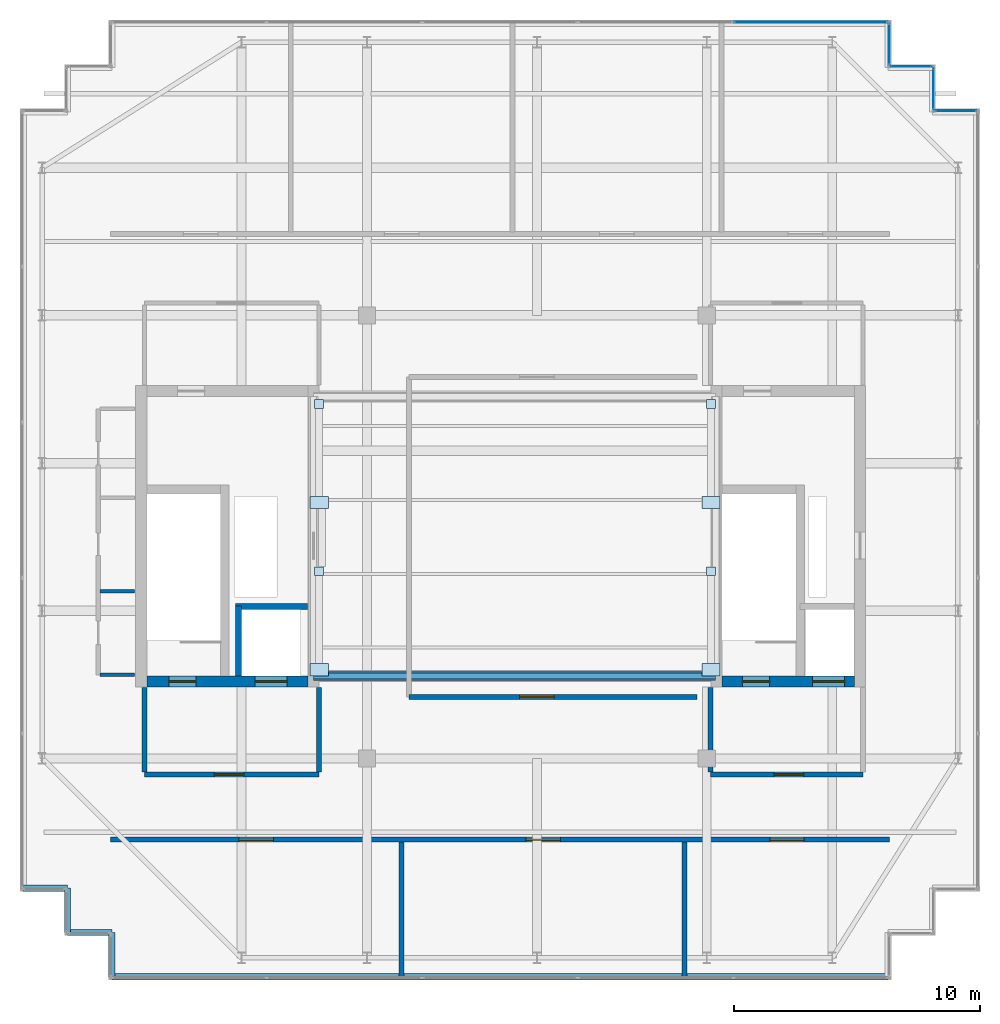
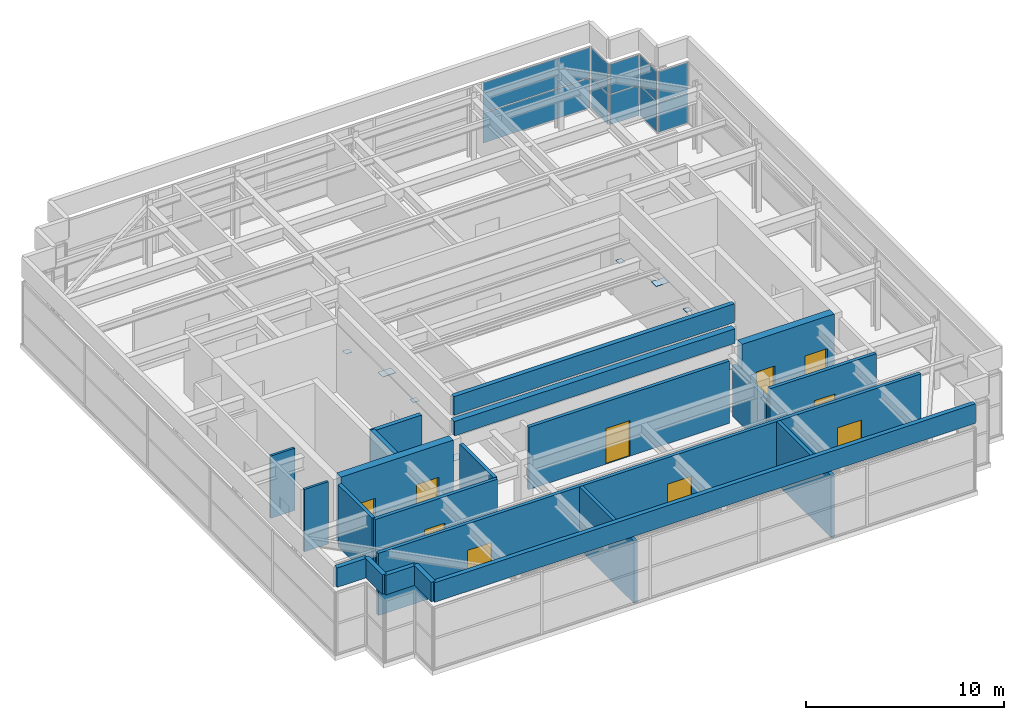
# One storey, part 30 of 33: 22 walls, 18 plates, 10 doors, 10 openings, 5 elements without a shape of their own.
"""IFC4 building model written with IfcOpenShell, lengths in metres."""

from ifc_helpers import new_model, si_unit, direction, frame, frame_2d, origin, origin_2d, place, context, subcontext, project, spatial, rectangle, extrude, source, transform, mapped, material, layer, layer_set, type_object, element, fill, aggregate, save


model = new_model("IFC4")

# Units and contexts
model_context = context("Model", 3, precision=1e-05, world=origin(), true_north=direction((0.0, 1.0)))
body_context = subcontext(model_context, "Body", "Model", "MODEL_VIEW")
ifc_project = project(units=[si_unit("LENGTHUNIT", "METRE"), si_unit("AREAUNIT", "SQUARE_METRE"), si_unit("VOLUMEUNIT", "CUBIC_METRE"), si_unit("PLANEANGLEUNIT", "RADIAN"), si_unit("MASSUNIT", "GRAM", prefix="KILO")], contexts=[model_context])

# Site, building, storey
site_placement = place(None, origin())
site = spatial("IfcSite", under=ifc_project, at=site_placement, CompositionType="ELEMENT")
building_placement = place(site_placement, origin())
building = spatial("IfcBuilding", under=site, at=building_placement, Name="Khoralis Quay Care Tower", CompositionType="ELEMENT")
storey_placement = place(building_placement, frame((0.0, 0.0, 314.699951171875)))
storey = spatial("IfcBuildingStorey", under=building, at=storey_placement, Name="L82", CompositionType="ELEMENT", Elevation=314.699951171875)

# Plates
ifc_material_1 = material(Name="Steel S355", Category="steel")
ifc_layer_1 = layer(ifc_material_1, 0.02001953125)
ifc_layer_set_1 = layer_set([ifc_layer_1], Name="Steel S355")
plate_type_1 = type_object("IfcPlateType", Name="PLT-CAP-350", PredefinedType="USERDEFINED", material=ifc_layer_set_1)
shared_shape_1 = source(origin(), body_context, "Body", "SweptSolid", [
    extrude(rectangle(XDim=0.35009765625, YDim=0.35009765625, at=origin_2d()), origin(), (0.0, 0.0, 1.0), 0.02001953125),
])
for number, where, z_axis, x_axis, name in (
    (1, (15.14794921875, 19.60009765625, 3.64013671875), (0.0, 0.0, 1.0), (1.0, 0.0, 0.0), "PLT-LNCP-L82-1"),
    (2, (15.14794921875, 26.39990234375, 2.510009765625), (0.0, 0.0, 1.0), (1.0, 0.0, 0.0), "PLT-LNCP-L82-2"),
    (3, (31.072021484375, 19.60009765625, 3.64013671875), (0.0, 0.0, 1.0), (1.0, 0.0, 0.0), "PLT-LNCP-L82-3"),
    (4, (31.072021484375, 26.39990234375, 2.510009765625), (0.0, 0.0, 1.0), (1.0, 0.0, 0.0), "PLT-LNCP-L82-4"),
):
    element("IfcPlate", number, at=place(storey_placement, frame(where, z_axis=z_axis, x_axis=x_axis)), inside=storey, type_object=plate_type_1, Name=name, ObjectType="BASE_PLATE", PredefinedType="USERDEFINED", context=body_context, shape_type="MappedRepresentation", body=[
        mapped(shared_shape_1, transform((0.0, 0.0, 0.0), scale=1.0)),
    ])
ifc_layer_2 = layer(ifc_material_1, 0.02490234375)
ifc_layer_set_2 = layer_set([ifc_layer_2], Name="Steel S355")
plate_type_2 = type_object("IfcPlateType", Name="PLT-NODE-LN1", PredefinedType="USERDEFINED", material=ifc_layer_set_2)
shared_shape_2 = source(origin(), body_context, "Body", "SweptSolid", [
    extrude(rectangle(XDim=0.75, YDim=0.5, at=origin_2d()), origin(), (0.0, 0.0, 1.0), 0.02490234375),
])
for number, where, z_axis, x_axis, name in (
    (5, (15.14794921875, 15.60009765625, 2.507568359375), (0.0, 0.0, 1.0), (1.0, 0.0, 0.0), "PLT-LN1-L82-1"),
    (6, (15.14794921875, 22.39990234375, 3.6376953125), (0.0, 0.0, 1.0), (1.0, 0.0, 0.0), "PLT-LN1-L82-2"),
    (7, (31.072021484375, 15.60009765625, 2.507568359375), (0.0, 0.0, 1.0), (1.0, 0.0, 0.0), "PLT-LN1-L82-3"),
    (8, (31.072021484375, 22.39990234375, 3.6376953125), (0.0, 0.0, 1.0), (1.0, 0.0, 0.0), "PLT-LN1-L82-4"),
):
    element("IfcPlate", number, at=place(storey_placement, frame(where, z_axis=z_axis, x_axis=x_axis)), inside=storey, type_object=plate_type_2, Name=name, ObjectType="GUSSET_PLATE", PredefinedType="USERDEFINED", context=body_context, shape_type="MappedRepresentation", body=[
        mapped(shared_shape_2, transform((0.0, 0.0, 0.0), scale=1.0)),
    ])

# Curtain wall, plates
ifc_material_2 = material(Name="Pale anodised aluminium", Category="aluminium")
ifc_layer_3 = layer(ifc_material_2, 0.199951171875)
ifc_layer_set_3 = layer_set([ifc_layer_3], Name="Pale anodised aluminium")
curtain_wall_type = type_object("IfcCurtainWallType", Name="CW-SYS-LANTERN", PredefinedType="NOTDEFINED", material=ifc_layer_set_3)
curtain_wall_1_placement = place(storey_placement, origin())
curtain_wall_1 = element("IfcCurtainWall", 9, at=curtain_wall_1_placement, inside=storey, type_object=curtain_wall_type, Name="L82 Unitised Curtain Wall CW-LN-L82-11", PredefinedType="NOTDEFINED")
ifc_material_3 = material(Name="Low-iron clear lantern glazing", Category="glass")
ifc_layer_4 = layer(ifc_material_3, 0.035888671875)
ifc_layer_set_4 = layer_set([ifc_layer_4], Name="Low-iron clear lantern glazing")
plate_type_3 = type_object("IfcPlateType", Name="PNL-LNT-36", PredefinedType="CURTAIN_PANEL", material=ifc_layer_set_4)
shared_shape_3 = source(origin(), body_context, "Body", "SweptSolid", [
    extrude(rectangle(XDim=6.23388671875, YDim=0.028076171875, at=origin_2d()), origin(), (0.0, 0.0, 1.0), 1.830078125),
])
plate_1_placement = place(storey_placement, frame((35.133056640625, 41.909912109375, 0.06005859375), z_axis=(0.0, 0.0, 1.0), x_axis=(-1.0, 0.0, 0.0)))
plate_1 = element("IfcPlate", 10, at=plate_1_placement, type_object=plate_type_3, Name="CW5 panel 1.1", PredefinedType="CURTAIN_PANEL", context=body_context, shape_type="MappedRepresentation", body=[
    mapped(shared_shape_3, transform((0.0, 0.0, 0.0), scale=1.0)),
])
plate_2_placement = place(storey_placement, frame((35.133056640625, 41.909912109375, 1.949951171875), z_axis=(0.0, 0.0, 1.0), x_axis=(-1.0, 0.0, 0.0)))
plate_2 = element("IfcPlate", 11, at=plate_2_placement, type_object=plate_type_3, Name="CW5 panel 1.2", PredefinedType="CURTAIN_PANEL", context=body_context, shape_type="MappedRepresentation", body=[
    mapped(shared_shape_3, transform((0.0, 0.0, 0.0), scale=1.0)),
])
aggregate(curtain_wall_1, [plate_1, plate_2])

curtain_wall_2_placement = place(storey_placement, origin())
curtain_wall_2 = element("IfcCurtainWall", 12, at=curtain_wall_2_placement, inside=storey, type_object=curtain_wall_type, Name="L82 Unitised Curtain Wall CW-LN-L82-07", PredefinedType="NOTDEFINED")
shared_shape_4 = source(origin(), body_context, "Body", "SweptSolid", [
    extrude(rectangle(XDim=1.679931640625, YDim=0.028076171875, at=origin_2d()), origin(), (0.0, 0.0, 1.0), 1.830078125),
])
plate_3_placement = place(storey_placement, frame((41.010009765625, 38.31005859375, 0.06005859375), z_axis=(0.0, 0.0, 1.0), x_axis=(-1.0, 0.0, 0.0)))
plate_3 = element("IfcPlate", 13, at=plate_3_placement, type_object=plate_type_3, Name="CW5 panel 1.1", PredefinedType="CURTAIN_PANEL", context=body_context, shape_type="MappedRepresentation", body=[
    mapped(shared_shape_4, transform((0.0, 0.0, 0.0), scale=1.0)),
])
plate_4_placement = place(storey_placement, frame((41.010009765625, 38.31005859375, 1.949951171875), z_axis=(0.0, 0.0, 1.0), x_axis=(-1.0, 0.0, 0.0)))
plate_4 = element("IfcPlate", 14, at=plate_4_placement, type_object=plate_type_3, Name="CW5 panel 1.2", PredefinedType="CURTAIN_PANEL", context=body_context, shape_type="MappedRepresentation", body=[
    mapped(shared_shape_4, transform((0.0, 0.0, 0.0), scale=1.0)),
])
aggregate(curtain_wall_2, [plate_3, plate_4])

curtain_wall_3_placement = place(storey_placement, origin())
curtain_wall_3 = element("IfcCurtainWall", 15, at=curtain_wall_3_placement, inside=storey, type_object=curtain_wall_type, Name="L82 Unitised Curtain Wall CW-LN-L82-08", PredefinedType="NOTDEFINED")
plate_5_placement = place(storey_placement, frame((40.110107421875, 39.2099609375, 0.06005859375), z_axis=(0.0, 0.0, 1.0), x_axis=(0.0, 1.0, 0.0)))
plate_5 = element("IfcPlate", 16, at=plate_5_placement, type_object=plate_type_3, Name="CW5 panel 1.1", PredefinedType="CURTAIN_PANEL", context=body_context, shape_type="MappedRepresentation", body=[
    mapped(shared_shape_4, transform((0.0, 0.0, 0.0), scale=1.0)),
])
plate_6_placement = place(storey_placement, frame((40.110107421875, 39.2099609375, 1.949951171875), z_axis=(0.0, 0.0, 1.0), x_axis=(0.0, 1.0, 0.0)))
plate_6 = element("IfcPlate", 17, at=plate_6_placement, type_object=plate_type_3, Name="CW5 panel 1.2", PredefinedType="CURTAIN_PANEL", context=body_context, shape_type="MappedRepresentation", body=[
    mapped(shared_shape_4, transform((0.0, 0.0, 0.0), scale=1.0)),
])
aggregate(curtain_wall_3, [plate_5, plate_6])

curtain_wall_4_placement = place(storey_placement, origin())
curtain_wall_4 = element("IfcCurtainWall", 18, at=curtain_wall_4_placement, inside=storey, type_object=curtain_wall_type, Name="L82 Unitised Curtain Wall CW-LN-L82-09", PredefinedType="NOTDEFINED")
plate_7_placement = place(storey_placement, frame((39.2099609375, 40.110107421875, 0.06005859375), z_axis=(0.0, 0.0, 1.0), x_axis=(-1.0, 0.0, 0.0)))
plate_7 = element("IfcPlate", 19, at=plate_7_placement, type_object=plate_type_3, Name="CW5 panel 1.1", PredefinedType="CURTAIN_PANEL", context=body_context, shape_type="MappedRepresentation", body=[
    mapped(shared_shape_4, transform((0.0, 0.0, 0.0), scale=1.0)),
])
plate_8_placement = place(storey_placement, frame((39.2099609375, 40.110107421875, 1.949951171875), z_axis=(0.0, 0.0, 1.0), x_axis=(-1.0, 0.0, 0.0)))
plate_8 = element("IfcPlate", 20, at=plate_8_placement, type_object=plate_type_3, Name="CW5 panel 1.2", PredefinedType="CURTAIN_PANEL", context=body_context, shape_type="MappedRepresentation", body=[
    mapped(shared_shape_4, transform((0.0, 0.0, 0.0), scale=1.0)),
])
aggregate(curtain_wall_4, [plate_7, plate_8])

curtain_wall_5_placement = place(storey_placement, origin())
curtain_wall_5 = element("IfcCurtainWall", 21, at=curtain_wall_5_placement, inside=storey, type_object=curtain_wall_type, Name="L82 Unitised Curtain Wall CW-LN-L82-10", PredefinedType="NOTDEFINED")
plate_9_placement = place(storey_placement, frame((38.31005859375, 41.010009765625, 0.06005859375), z_axis=(0.0, 0.0, 1.0), x_axis=(0.0, 1.0, 0.0)))
plate_9 = element("IfcPlate", 22, at=plate_9_placement, type_object=plate_type_3, Name="CW5 panel 1.1", PredefinedType="CURTAIN_PANEL", context=body_context, shape_type="MappedRepresentation", body=[
    mapped(shared_shape_4, transform((0.0, 0.0, 0.0), scale=1.0)),
])
plate_10_placement = place(storey_placement, frame((38.31005859375, 41.010009765625, 1.949951171875), z_axis=(0.0, 0.0, 1.0), x_axis=(0.0, 1.0, 0.0)))
plate_10 = element("IfcPlate", 23, at=plate_10_placement, type_object=plate_type_3, Name="CW5 panel 1.2", PredefinedType="CURTAIN_PANEL", context=body_context, shape_type="MappedRepresentation", body=[
    mapped(shared_shape_4, transform((0.0, 0.0, 0.0), scale=1.0)),
])
aggregate(curtain_wall_5, [plate_9, plate_10])

# Wall, opening, door
ifc_material_4 = material(Name="Gypsum plasterboard on acoustic metal stud")
ifc_layer_5 = layer(ifc_material_4, 0.199951171875)
ifc_layer_set_5 = layer_set([ifc_layer_5], Name="Gypsum plasterboard on acoustic metal stud")
wall_type_1 = type_object("IfcWallType", Name="WL-COMP-200", PredefinedType="PARTITIONING", material=ifc_layer_set_5)
wall_1_placement = place(storey_placement, frame((8.050048828125, 11.35009765625, 0.0), z_axis=(0.0, 0.0, 1.0), x_axis=(1.0, 0.0, 0.0)))
wall_1 = element("IfcWall", 24, at=wall_1_placement, inside=storey, type_object=wall_type_1, Name="L82 West Firefighting Lobby South Wall", PredefinedType="PARTITIONING", context=body_context, shape_type="SweptSolid", body=[
    extrude(rectangle(XDim=7.099853515625, YDim=0.199951171875, at=frame_2d((3.5498046875, 0.0))), origin(), (0.0, 0.0, 1.0), 3.840087890625),
])
opening_1_placement = place(wall_1_placement, frame((2.846435546875, 0.0, 0.0)))
opening_1 = element("IfcOpeningElement", 25, at=opening_1_placement, cuts=wall_1, Name="Opening FD1", PredefinedType="OPENING", context=body_context, shape_type="SweptSolid", body=[
    extrude(rectangle(XDim=1.199951171875, YDim=2.199951171875, at=frame_2d((0.60009765625, 1.10009765625))), frame((0.0, 0.10986328125, 0.0), z_axis=(0.0, -1.0, 0.0), x_axis=(1.0, 0.0, 0.0)), (0.0, 0.0, 1.0), 0.219970703125),
])
ifc_material_5 = material(Name="Fire-rated painted steel", Category="steel")
door_type_1 = type_object("IfcDoorType", Name="DR-FFL-1200X2200", OperationType="NOTDEFINED", PredefinedType="DOOR", material=ifc_material_5)
shared_shape_5 = source(origin(), body_context, "Body", "SweptSolid", [
    extrude(rectangle(XDim=1.199951171875, YDim=2.199951171875, at=frame_2d((0.60009765625, 1.10009765625))), frame((0.0, 0.02490234375, 0.0), z_axis=(0.0, -1.0, 0.0), x_axis=(1.0, 0.0, 0.0)), (0.0, 0.0, 1.0), 0.050048828125),
])
door_1_placement = place(opening_1_placement, origin())
door_1 = element("IfcDoor", 26, at=door_1_placement, inside=storey, type_object=door_type_1, Name="L82 West Firefighting Lobby Fire Door", OperationType="SINGLE_SWING_RIGHT", OverallHeight=2.199951171875, OverallWidth=1.199951171875, PredefinedType="DOOR", context=body_context, shape_type="MappedRepresentation", body=[
    mapped(shared_shape_5, transform((0.0, 0.0, 0.0), scale=1.0)),
])
fill(opening_1, door_1)

# Walls
for number, where, z_axis, x_axis, name in (
    (27, (8.050048828125, 11.445068359375, 0.0), (0.0, 0.0, 1.0), (0.0, 1.0, 0.0), "L82 West Firefighting Lobby West Wall"),
    (28, (15.14990234375, 11.445068359375, 0.0), (0.0, 0.0, 1.0), (0.0, 1.0, 0.0), "L82 West Firefighting Lobby East Wall"),
):
    element("IfcWall", number, at=place(storey_placement, frame(where, z_axis=z_axis, x_axis=x_axis)), inside=storey, type_object=wall_type_1, Name=name, PredefinedType="PARTITIONING", context=body_context, shape_type="SweptSolid", body=[
        extrude(rectangle(XDim=3.434814453125, YDim=0.199951171875, at=frame_2d((1.71728515625, 0.0))), origin(), (0.0, 0.0, 1.0), 3.840087890625),
    ])

# Wall, opening, door
wall_2_placement = place(storey_placement, frame((31.050048828125, 11.35009765625, 0.0), z_axis=(0.0, 0.0, 1.0), x_axis=(1.0, 0.0, 0.0)))
wall_2 = element("IfcWall", 29, at=wall_2_placement, inside=storey, type_object=wall_type_1, Name="L82 East Firefighting Lobby South Wall", PredefinedType="PARTITIONING", context=body_context, shape_type="SweptSolid", body=[
    extrude(rectangle(XDim=6.199951171875, YDim=0.199951171875, at=frame_2d((3.10009765625, 0.0))), origin(), (0.0, 0.0, 1.0), 3.840087890625),
])
opening_2_placement = place(wall_2_placement, frame((2.585693359375, 0.0, 0.0)))
opening_2 = element("IfcOpeningElement", 30, at=opening_2_placement, cuts=wall_2, Name="Opening FD1", PredefinedType="OPENING", context=body_context, shape_type="SweptSolid", body=[
    extrude(rectangle(XDim=1.199951171875, YDim=2.199951171875, at=frame_2d((0.60009765625, 1.10009765625))), frame((0.0, 0.10986328125, 0.0), z_axis=(0.0, -1.0, 0.0), x_axis=(1.0, 0.0, 0.0)), (0.0, 0.0, 1.0), 0.219970703125),
])
door_2_placement = place(opening_2_placement, origin())
door_2 = element("IfcDoor", 31, at=door_2_placement, inside=storey, type_object=door_type_1, Name="L82 East Firefighting Lobby Fire Door", OperationType="SINGLE_SWING_LEFT", OverallHeight=2.199951171875, OverallWidth=1.199951171875, PredefinedType="DOOR", context=body_context, shape_type="MappedRepresentation", body=[
    mapped(shared_shape_5, transform((0.0, 0.0, 0.0), scale=1.0)),
])
fill(opening_2, door_2)

# Wall
wall_3_placement = place(storey_placement, frame((31.050048828125, 11.445068359375, 0.0), z_axis=(0.0, 0.0, 1.0), x_axis=(0.0, 1.0, 0.0)))
element("IfcWall", 32, at=wall_3_placement, inside=storey, type_object=wall_type_1, Name="L82 East Firefighting Lobby West Wall", PredefinedType="PARTITIONING", context=body_context, shape_type="SweptSolid", body=[
    extrude(rectangle(XDim=3.434814453125, YDim=0.199951171875, at=frame_2d((1.71728515625, 0.0))), origin(), (0.0, 0.0, 1.0), 3.14501953125),
])

# Wall, openings, doors
wall_4_placement = place(storey_placement, frame((6.679931640625, 8.699951171875, 0.0), z_axis=(0.0, 0.0, 1.0), x_axis=(1.0, 0.0, 0.0)))
wall_4 = element("IfcWall", 33, at=wall_4_placement, inside=storey, type_object=wall_type_1, Name="L82 Plant Corridor South Wall", PredefinedType="PARTITIONING", context=body_context, shape_type="SweptSolid", body=[
    extrude(rectangle(XDim=31.64013671875, YDim=0.199951171875, at=frame_2d((15.820068359375, 0.0))), origin(), (0.0, 0.0, 1.0), 3.840087890625),
])
opening_3_placement = place(wall_4_placement, frame((5.2099609375, 0.0, 0.0)))
opening_3 = element("IfcOpeningElement", 34, at=opening_3_placement, cuts=wall_4, Name="Opening PD1", PredefinedType="OPENING", context=body_context, shape_type="SweptSolid", body=[
    extrude(rectangle(XDim=1.39990234375, YDim=2.199951171875, at=frame_2d((0.699951171875, 1.10009765625))), frame((0.0, 0.10986328125, 0.0), z_axis=(0.0, -1.0, 0.0), x_axis=(1.0, 0.0, 0.0)), (0.0, 0.0, 1.0), 0.219970703125),
])
opening_4_placement = place(wall_4_placement, frame((16.8701171875, 0.0, 0.0)))
opening_4 = element("IfcOpeningElement", 35, at=opening_4_placement, cuts=wall_4, Name="Opening PD1", PredefinedType="OPENING", context=body_context, shape_type="SweptSolid", body=[
    extrude(rectangle(XDim=1.39990234375, YDim=2.199951171875, at=frame_2d((0.699951171875, 1.10009765625))), frame((0.0, 0.10986328125, 0.0), z_axis=(0.0, -1.0, 0.0), x_axis=(1.0, 0.0, 0.0)), (0.0, 0.0, 1.0), 0.219970703125),
])
opening_5_placement = place(wall_4_placement, frame((26.780029296875, 0.0, 0.0)))
opening_5 = element("IfcOpeningElement", 36, at=opening_5_placement, cuts=wall_4, Name="Opening PD1", PredefinedType="OPENING", context=body_context, shape_type="SweptSolid", body=[
    extrude(rectangle(XDim=1.39990234375, YDim=2.199951171875, at=frame_2d((0.699951171875, 1.10009765625))), frame((0.0, 0.10986328125, 0.0), z_axis=(0.0, -1.0, 0.0), x_axis=(1.0, 0.0, 0.0)), (0.0, 0.0, 1.0), 0.219970703125),
])
door_type_2 = type_object("IfcDoorType", Name="DR-PLANT-1400X2200", OperationType="NOTDEFINED", PredefinedType="DOOR", material=ifc_material_5)
shared_shape_6 = source(origin(), body_context, "Body", "SweptSolid", [
    extrude(rectangle(XDim=1.39990234375, YDim=2.199951171875, at=frame_2d((0.699951171875, 1.10009765625))), frame((0.0, 0.02490234375, 0.0), z_axis=(0.0, -1.0, 0.0), x_axis=(1.0, 0.0, 0.0)), (0.0, 0.0, 1.0), 0.050048828125),
])
door_3_placement = place(opening_3_placement, frame((1.39990234375, 0.0, 0.0), z_axis=(0.0, 0.0, 1.0), x_axis=(-1.0, 0.0, 0.0)))
door_3 = element("IfcDoor", 37, at=door_3_placement, inside=storey, type_object=door_type_2, Name="L82 Cooling Tower Plant Hall Plant Door", OperationType="DOUBLE_DOOR_SINGLE_SWING", OverallHeight=2.199951171875, OverallWidth=1.39990234375, PredefinedType="DOOR", context=body_context, shape_type="MappedRepresentation", body=[
    mapped(shared_shape_6, transform((0.0, 0.0, 0.0), scale=1.0)),
])
fill(opening_3, door_3)
door_4_placement = place(opening_4_placement, frame((1.39990234375, 0.0, 0.0), z_axis=(0.0, 0.0, 1.0), x_axis=(-1.0, 0.0, 0.0)))
door_4 = element("IfcDoor", 38, at=door_4_placement, inside=storey, type_object=door_type_2, Name="L82 Fire Pump Tank Room Plant Door", OperationType="DOUBLE_DOOR_SINGLE_SWING", OverallHeight=2.199951171875, OverallWidth=1.39990234375, PredefinedType="DOOR", context=body_context, shape_type="MappedRepresentation", body=[
    mapped(shared_shape_6, transform((0.0, 0.0, 0.0), scale=1.0)),
])
fill(opening_4, door_4)
door_5_placement = place(opening_5_placement, frame((1.39990234375, 0.0, 0.0), z_axis=(0.0, 0.0, 1.0), x_axis=(-1.0, 0.0, 0.0)))
door_5 = element("IfcDoor", 39, at=door_5_placement, inside=storey, type_object=door_type_2, Name="L82 Emergency Generator Room Plant Door", OperationType="DOUBLE_DOOR_SINGLE_SWING", OverallHeight=2.199951171875, OverallWidth=1.39990234375, PredefinedType="DOOR", context=body_context, shape_type="MappedRepresentation", body=[
    mapped(shared_shape_6, transform((0.0, 0.0, 0.0), scale=1.0)),
])
fill(opening_5, door_5)

# Wall, opening, door
wall_5_placement = place(storey_placement, frame((18.800048828125, 14.5, 0.0), z_axis=(0.0, 0.0, 1.0), x_axis=(1.0, 0.0, 0.0)))
wall_5 = element("IfcWall", 40, at=wall_5_placement, inside=storey, type_object=wall_type_1, Name="L82 Central Plant South Wall", PredefinedType="PARTITIONING", context=body_context, shape_type="SweptSolid", body=[
    extrude(rectangle(XDim=11.699951171875, YDim=0.199951171875, at=frame_2d((5.85009765625, 0.0))), origin(), (0.0, 0.0, 1.0), 3.840087890625),
])
opening_6_placement = place(wall_5_placement, frame((4.5, 0.0, 0.0)))
opening_6 = element("IfcOpeningElement", 41, at=opening_6_placement, cuts=wall_5, Name="Opening PD1", PredefinedType="OPENING", context=body_context, shape_type="SweptSolid", body=[
    extrude(rectangle(XDim=1.39990234375, YDim=2.199951171875, at=frame_2d((0.699951171875, 1.10009765625))), frame((0.0, 0.10986328125, 0.0), z_axis=(0.0, -1.0, 0.0), x_axis=(1.0, 0.0, 0.0)), (0.0, 0.0, 1.0), 0.219970703125),
])
door_6_placement = place(opening_6_placement, origin())
door_6 = element("IfcDoor", 42, at=door_6_placement, inside=storey, type_object=door_type_2, Name="L82 Central Plant South Door", OperationType="DOUBLE_DOOR_SINGLE_SWING", OverallHeight=2.199951171875, OverallWidth=1.39990234375, PredefinedType="DOOR", context=body_context, shape_type="MappedRepresentation", body=[
    mapped(shared_shape_6, transform((0.0, 0.0, 0.0), scale=1.0)),
])
fill(opening_6, door_6)

# Walls
for number, where, z_axis, x_axis, name in (
    (43, (18.5, 3.0849609375, 0.0), (0.0, 0.0, 1.0), (0.0, 1.0, 0.0), "L82 South Plant Divider 1"),
    (44, (30.0, 3.0849609375, 0.0), (0.0, 0.0, 1.0), (0.0, 1.0, 0.0), "L82 South Plant Divider 2"),
):
    element("IfcWall", number, at=place(storey_placement, frame(where, z_axis=z_axis, x_axis=x_axis)), inside=storey, type_object=wall_type_1, Name=name, PredefinedType="PARTITIONING", context=body_context, shape_type="SweptSolid", body=[
        extrude(rectangle(XDim=5.52001953125, YDim=0.199951171875, at=frame_2d((2.760009765625, 0.0))), origin(), (0.0, 0.0, 1.0), 3.840087890625),
    ])

# Wall, openings, doors
ifc_material_6 = material(Name="Concrete C50/60", Category="concrete")
ifc_layer_6 = layer(ifc_material_6, 0.449951171875)
ifc_layer_set_6 = layer_set([ifc_layer_6], Name="Concrete C50/60")
wall_type_2 = type_object("IfcWallType", Name="WL-CORE-450", PredefinedType="SHEAR", material=ifc_layer_set_6)
wall_6_placement = place(storey_placement, frame((8.14990234375, 15.125, 0.0), z_axis=(0.0, 0.0, 1.0), x_axis=(1.0, 0.0, 0.0)))
wall_6 = element("IfcWall", 45, at=wall_6_placement, inside=storey, type_object=wall_type_2, Name="L82 WCORE South Shear Wall", PredefinedType="SHEAR", context=body_context, shape_type="SweptSolid", body=[
    extrude(rectangle(XDim=6.550048828125, YDim=0.449951171875, at=frame_2d((3.27490234375, 0.0))), origin(), (0.0, 0.0, 1.0), 4.199951171875),
])
opening_7_placement = place(wall_6_placement, frame((0.89990234375, 0.0, 0.0)))
opening_7 = element("IfcOpeningElement", 46, at=opening_7_placement, cuts=wall_6, Name="Opening SD1", PredefinedType="OPENING", context=body_context, shape_type="SweptSolid", body=[
    extrude(rectangle(XDim=1.10009765625, YDim=2.199951171875, at=frame_2d((0.550048828125, 1.10009765625))), frame((0.0, 0.23486328125, 0.0), z_axis=(0.0, -1.0, 0.0), x_axis=(1.0, 0.0, 0.0)), (0.0, 0.0, 1.0), 0.469970703125),
])
opening_8_placement = place(wall_6_placement, frame((4.39990234375, 0.0, 0.0)))
opening_8 = element("IfcOpeningElement", 47, at=opening_8_placement, cuts=wall_6, Name="Opening LD2", PredefinedType="OPENING", context=body_context, shape_type="SweptSolid", body=[
    extrude(rectangle(XDim=1.300048828125, YDim=2.199951171875, at=frame_2d((0.64990234375, 1.10009765625))), frame((0.0, 0.23486328125, 0.0), z_axis=(0.0, -1.0, 0.0), x_axis=(1.0, 0.0, 0.0)), (0.0, 0.0, 1.0), 0.469970703125),
])
door_type_3 = type_object("IfcDoorType", Name="DR-STAIR-1100X2200", OperationType="NOTDEFINED", PredefinedType="DOOR", material=ifc_material_5)
shared_shape_7 = source(origin(), body_context, "Body", "SweptSolid", [
    extrude(rectangle(XDim=1.10009765625, YDim=2.199951171875, at=frame_2d((0.550048828125, 1.10009765625))), frame((0.0, 0.02490234375, 0.0), z_axis=(0.0, -1.0, 0.0), x_axis=(1.0, 0.0, 0.0)), (0.0, 0.0, 1.0), 0.050048828125),
])
door_7_placement = place(opening_7_placement, origin())
door_7 = element("IfcDoor", 48, at=door_7_placement, inside=storey, type_object=door_type_3, Name="L82 Stair ST-T1 Fire Door", OperationType="SINGLE_SWING_RIGHT", OverallHeight=2.199951171875, OverallWidth=1.10009765625, PredefinedType="DOOR", context=body_context, shape_type="MappedRepresentation", body=[
    mapped(shared_shape_7, transform((0.0, 0.0, 0.0), scale=1.0)),
])
fill(opening_7, door_7)
ifc_material_7 = material(Name="Brushed stainless steel", Category="steel")
door_type_4 = type_object("IfcDoorType", Name="DR-LIFT-1300X2200", OperationType="SLIDING_TO_RIGHT", PredefinedType="DOOR", material=ifc_material_7)
shared_shape_8 = source(origin(), body_context, "Body", "SweptSolid", [
    extrude(rectangle(XDim=1.300048828125, YDim=2.199951171875, at=frame_2d((0.64990234375, 1.10009765625))), frame((0.0, 0.02490234375, 0.0), z_axis=(0.0, -1.0, 0.0), x_axis=(1.0, 0.0, 0.0)), (0.0, 0.0, 1.0), 0.050048828125),
])
door_8_placement = place(opening_8_placement, origin())
door_8 = element("IfcDoor", 49, at=door_8_placement, inside=storey, type_object=door_type_4, Name="L82 Firefighting Lift FFL-1 Landing Door", OperationType="SLIDING_TO_RIGHT", OverallHeight=2.199951171875, OverallWidth=1.300048828125, PredefinedType="DOOR", context=body_context, shape_type="MappedRepresentation", body=[
    mapped(shared_shape_8, transform((0.0, 0.0, 0.0), scale=1.0)),
])
fill(opening_8, door_8)

wall_7_placement = place(storey_placement, frame((31.52001953125, 15.125, 0.0), z_axis=(0.0, 0.0, 1.0), x_axis=(1.0, 0.0, 0.0)))
wall_7 = element("IfcWall", 50, at=wall_7_placement, inside=storey, type_object=wall_type_2, Name="L82 ECORE South Shear Wall", PredefinedType="SHEAR", context=body_context, shape_type="SweptSolid", body=[
    extrude(rectangle(XDim=5.3798828125, YDim=0.449951171875, at=frame_2d((2.68994140625, 0.0))), origin(), (0.0, 0.0, 1.0), 4.199951171875),
])
opening_9_placement = place(wall_7_placement, frame((0.830078125, 0.0, 0.0)))
opening_9 = element("IfcOpeningElement", 51, at=opening_9_placement, cuts=wall_7, Name="Opening SD1", PredefinedType="OPENING", context=body_context, shape_type="SweptSolid", body=[
    extrude(rectangle(XDim=1.10009765625, YDim=2.199951171875, at=frame_2d((0.550048828125, 1.10009765625))), frame((0.0, 0.23486328125, 0.0), z_axis=(0.0, -1.0, 0.0), x_axis=(1.0, 0.0, 0.0)), (0.0, 0.0, 1.0), 0.469970703125),
])
opening_10_placement = place(wall_7_placement, frame((3.679931640625, 0.0, 0.0)))
opening_10 = element("IfcOpeningElement", 52, at=opening_10_placement, cuts=wall_7, Name="Opening LD2", PredefinedType="OPENING", context=body_context, shape_type="SweptSolid", body=[
    extrude(rectangle(XDim=1.300048828125, YDim=2.199951171875, at=frame_2d((0.64990234375, 1.10009765625))), frame((0.0, 0.23486328125, 0.0), z_axis=(0.0, -1.0, 0.0), x_axis=(1.0, 0.0, 0.0)), (0.0, 0.0, 1.0), 0.469970703125),
])
door_9_placement = place(opening_9_placement, origin())
door_9 = element("IfcDoor", 53, at=door_9_placement, inside=storey, type_object=door_type_3, Name="L82 Stair ST-T2 Fire Door", OperationType="SINGLE_SWING_LEFT", OverallHeight=2.199951171875, OverallWidth=1.10009765625, PredefinedType="DOOR", context=body_context, shape_type="MappedRepresentation", body=[
    mapped(shared_shape_7, transform((0.0, 0.0, 0.0), scale=1.0)),
])
fill(opening_9, door_9)
door_10_placement = place(opening_10_placement, origin())
door_10 = element("IfcDoor", 54, at=door_10_placement, inside=storey, type_object=door_type_4, Name="L82 Firefighting Lift FFL-2 Landing Door", OperationType="SLIDING_TO_RIGHT", OverallHeight=2.199951171875, OverallWidth=1.300048828125, PredefinedType="DOOR", context=body_context, shape_type="MappedRepresentation", body=[
    mapped(shared_shape_8, transform((0.0, 0.0, 0.0), scale=1.0)),
])
fill(opening_10, door_10)

# Walls
ifc_material_8 = material(Name="Precast concrete C40/50", Category="concrete")
ifc_layer_7 = layer(ifc_material_8, 0.260009765625)
ifc_layer_set_7 = layer_set([ifc_layer_7], Name="Precast concrete C40/50")
wall_type_3 = type_object("IfcWallType", Name="WL-PARAPET-260", PredefinedType="PARAPET", material=ifc_layer_set_7)
wall_8_placement = place(storey_placement, frame((6.72998046875, 3.1298828125, 4.199951171875), z_axis=(0.0, 0.0, 1.0), x_axis=(1.0, 0.0, 0.0)))
element("IfcWall", 55, at=wall_8_placement, inside=storey, type_object=wall_type_3, Name="Tower Roof Maintenance Parapet 01", PredefinedType="PARAPET", context=body_context, shape_type="SweptSolid", body=[
    extrude(rectangle(XDim=31.5400390625, YDim=0.260009765625, at=frame_2d((15.77001953125, 0.0))), origin(), (0.0, 0.0, 1.0), 1.2001953125),
])
for number, where, z_axis, x_axis, name in (
    (56, (3.1298828125, 6.72998046875, 4.199951171875), (0.0, 0.0, 1.0), (1.0, 0.0, 0.0), "Tower Roof Maintenance Parapet 17"),
    (57, (4.929931640625, 6.72998046875, 4.199951171875), (0.0, 0.0, 1.0), (0.0, -1.0, 0.0), "Tower Roof Maintenance Parapet 18"),
    (58, (4.929931640625, 4.929931640625, 4.199951171875), (0.0, 0.0, 1.0), (1.0, 0.0, 0.0), "Tower Roof Maintenance Parapet 19"),
    (59, (6.72998046875, 4.929931640625, 4.199951171875), (0.0, 0.0, 1.0), (0.0, -1.0, 0.0), "Tower Roof Maintenance Parapet 20"),
):
    element("IfcWall", number, at=place(storey_placement, frame(where, z_axis=z_axis, x_axis=x_axis)), inside=storey, type_object=wall_type_3, Name=name, PredefinedType="PARAPET", context=body_context, shape_type="SweptSolid", body=[
        extrude(rectangle(XDim=1.800048828125, YDim=0.260009765625, at=frame_2d((0.89990234375, 0.0))), origin(), (0.0, 0.0, 1.0), 1.2001953125),
    ])
wall_9_placement = place(storey_placement, frame((14.925048828125, 15.35009765625, 5.449951171875), z_axis=(0.0, 0.0, 1.0), x_axis=(1.0, 0.0, 0.0)))
element("IfcWall", 60, at=wall_9_placement, inside=storey, type_object=wall_type_3, Name="Lantern Cupola Crown Parapet 1", PredefinedType="PARAPET", context=body_context, shape_type="SweptSolid", body=[
    extrude(rectangle(XDim=16.33984375, YDim=0.260009765625, at=frame_2d((8.169921875, 0.0))), origin(), (0.0, 0.0, 1.0), 1.150146484375),
])
ifc_material_9 = material(Name="Moisture-resistant gypsum and ceramic tile")
ifc_layer_8 = layer(ifc_material_9, 0.280029296875)
ifc_layer_set_8 = layer_set([ifc_layer_8], Name="Moisture-resistant gypsum and ceramic tile")
wall_type_4 = type_object("IfcWallType", Name="WL-PLUMB-280", PredefinedType="PLUMBINGWALL", material=ifc_layer_set_8)
wall_10_placement = place(storey_placement, frame((6.257568359375, 18.800048828125, 0.0), z_axis=(0.0, 0.0, 1.0), x_axis=(1.0, 0.0, 0.0)))
element("IfcWall", 61, at=wall_10_placement, inside=storey, type_object=wall_type_4, Name="L82 West Flank Divider 1", PredefinedType="PLUMBINGWALL", context=body_context, shape_type="SweptSolid", body=[
    extrude(rectangle(XDim=1.40234375, YDim=0.139892578125, at=frame_2d((0.701171875, 0.0))), origin(), (0.0, 0.0, 1.0), 3.840087890625),
])
ifc_material_10 = material(Name="Concrete C40/50", Category="concrete")
ifc_layer_9 = layer(ifc_material_10, 0.35009765625)
ifc_layer_set_9 = layer_set([ifc_layer_9], Name="Concrete C40/50")
wall_type_5 = type_object("IfcWallType", Name="WL-SC-CORE-350", PredefinedType="SHEAR", material=ifc_layer_set_9)
wall_11_placement = place(storey_placement, frame((14.925048828125, 15.35009765625, 4.199951171875), z_axis=(0.0, 0.0, 1.0), x_axis=(1.0, 0.0, 0.0)))
element("IfcWall", 62, at=wall_11_placement, inside=storey, type_object=wall_type_5, Name="Lantern Cupola Drum Bearing Wall 1", PredefinedType="SHEAR", context=body_context, shape_type="SweptSolid", body=[
    extrude(rectangle(XDim=16.33984375, YDim=0.35009765625, at=frame_2d((8.169921875, 0.0))), origin(), (0.0, 0.0, 1.0), 0.89013671875),
])
ifc_layer_10 = layer(ifc_material_4, 0.239990234375)
ifc_layer_set_10 = layer_set([ifc_layer_10], Name="Gypsum plasterboard on acoustic metal stud")
wall_type_6 = type_object("IfcWallType", Name="WL-SHAFT-240", PredefinedType="PARTITIONING", material=ifc_layer_set_10)
wall_12_placement = place(storey_placement, frame((11.8798828125, 15.35009765625, 0.0), z_axis=(0.0, 0.0, 1.0), x_axis=(0.0, 1.0, 0.0)))
element("IfcWall", 63, at=wall_12_placement, inside=storey, type_object=wall_type_6, Name="L82 FFL-1 Shaft Wall West", PredefinedType="PARTITIONING", context=body_context, shape_type="SweptSolid", body=[
    extrude(rectangle(XDim=2.849853515625, YDim=0.239990234375, at=frame_2d((1.4248046875, 0.0))), origin(), (0.0, 0.0, 1.0), 3.840087890625),
])
wall_13_placement = place(storey_placement, frame((11.760009765625, 18.169921875, 0.0), z_axis=(0.0, 0.0, 1.0), x_axis=(1.0, 0.0, 0.0)))
element("IfcWall", 64, at=wall_13_placement, inside=storey, type_object=wall_type_6, Name="L82 FFL-1 Shaft Wall North", PredefinedType="PARTITIONING", context=body_context, shape_type="SweptSolid", body=[
    extrude(rectangle(XDim=2.919921875, YDim=0.239990234375, at=frame_2d((1.4599609375, 0.0))), origin(), (0.0, 0.0, 1.0), 3.840087890625),
])
ifc_layer_11 = layer(ifc_material_4, 0.139892578125)
ifc_layer_set_11 = layer_set([ifc_layer_11], Name="Gypsum plasterboard on acoustic metal stud")
wall_type_7 = type_object("IfcWallType", Name="WL-UNIT-140", PredefinedType="PARTITIONING", material=ifc_layer_set_11)
wall_14_placement = place(storey_placement, frame((6.257568359375, 15.39990234375, 0.0), z_axis=(0.0, 0.0, 1.0), x_axis=(1.0, 0.0, 0.0)))
element("IfcWall", 65, at=wall_14_placement, inside=storey, type_object=wall_type_7, Name="L82 West Flank South Cap", PredefinedType="PARTITIONING", context=body_context, shape_type="SweptSolid", body=[
    extrude(rectangle(XDim=1.40234375, YDim=0.139892578125, at=frame_2d((0.701171875, 0.0))), origin(), (0.0, 0.0, 1.0), 3.840087890625),
])

save(model, "model.ifc")
